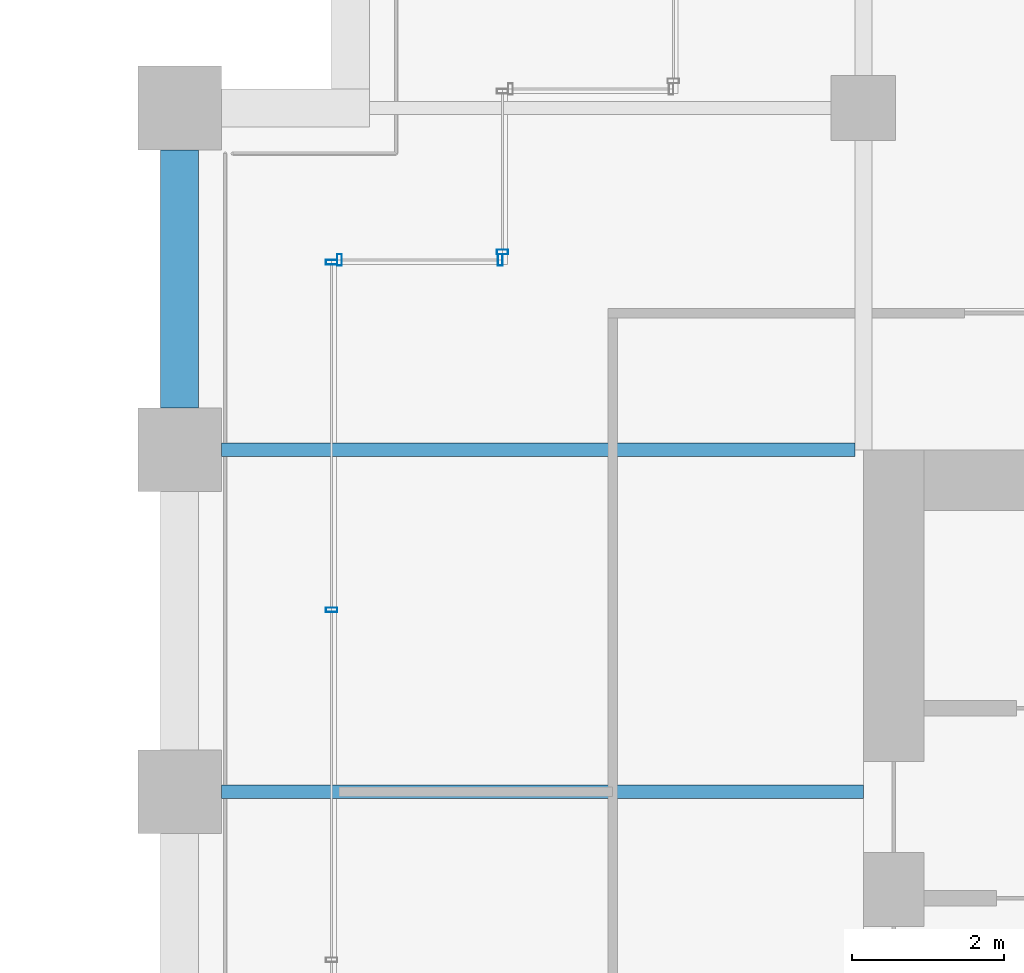
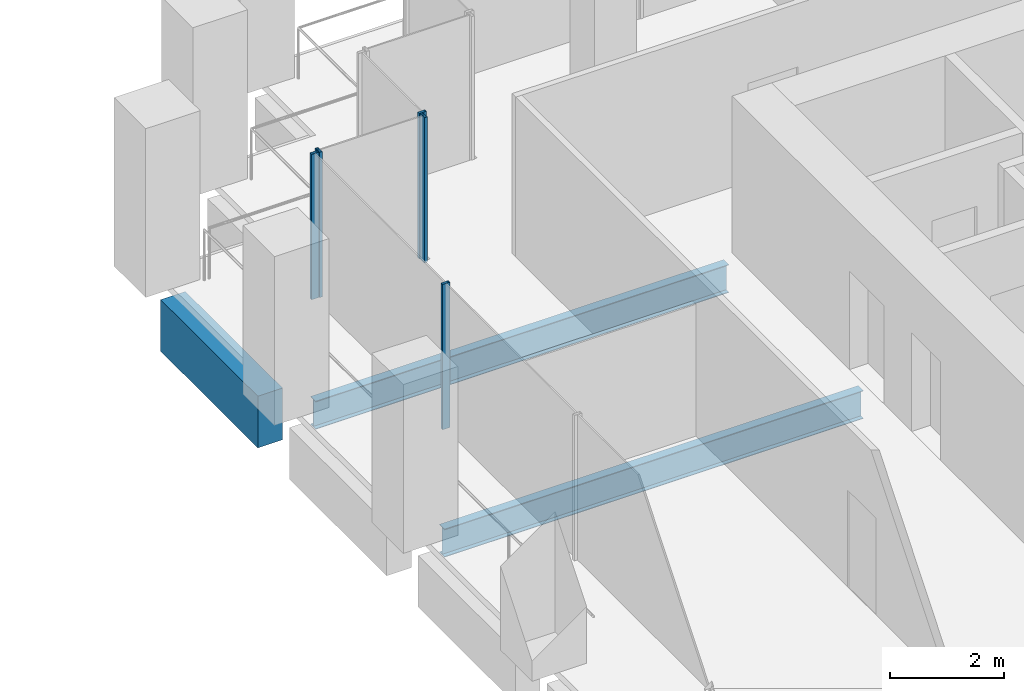
# One storey, part 40 of 54: 5 members, 3 beams, 3 elements without a shape of their own.
"""IFC4 building model written with IfcOpenShell, lengths in metres."""

from ifc_helpers import new_model, si_unit, direction, frame, origin, origin_2d, place, context, subcontext, project, spatial, rectangle, hollow_rectangle, i_section, extrude, material, material_profile, profile_set, type_object, element, aggregate, save


model = new_model("IFC4")

# Units and contexts
model_context = context("Model", 3, precision=1e-05, world=origin(), true_north=direction((0.0, 1.0)))
body_context = subcontext(model_context, "Body", "Model", "MODEL_VIEW")
ifc_project = project(units=[si_unit("LENGTHUNIT", "METRE"), si_unit("AREAUNIT", "SQUARE_METRE"), si_unit("VOLUMEUNIT", "CUBIC_METRE"), si_unit("PLANEANGLEUNIT", "RADIAN"), si_unit("MASSUNIT", "GRAM", prefix="KILO")], contexts=[model_context])

# Site, building, storey
site_placement = place(None, origin())
site = spatial("IfcSite", under=ifc_project, at=site_placement, CompositionType="ELEMENT")
building_placement = place(site_placement, origin())
building = spatial("IfcBuilding", under=site, at=building_placement, Name="Altepetl Exchange Towers", CompositionType="ELEMENT")
storey_placement = place(building_placement, frame((0.0, 0.0, 58.199951171875)))
storey = spatial("IfcBuildingStorey", under=building, at=storey_placement, Name="L13", CompositionType="ELEMENT", Elevation=58.199951171875)

# Beams
ifc_material_1 = material(Name="Steel S355", Category="steel")
ifc_material_profile_1 = material_profile(ifc_material_1, i_section(OverallWidth=0.177978515625, OverallDepth=0.59912109375, WebThickness=0.010009765625, FlangeThickness=0.0126953125, at=origin_2d()), Name="W24X55")
ifc_profile_set_1 = profile_set([ifc_material_profile_1], Name="Steel S355")
beam_type_1 = type_object("IfcBeamType", Name="Floor beam W24X55", PredefinedType="BEAM", material=ifc_profile_set_1)
beam_1_placement = place(storey_placement, frame((95.050048828125, 45.0, -0.449462890625), z_axis=(1.0, 0.0, 0.0), x_axis=(0.0, 1.0, 0.0)))
element("IfcBeam", 1, at=beam_1_placement, inside=storey, type_object=beam_type_1, Name="bm:B:L13:013", PredefinedType="BEAM", context=body_context, shape_type="SweptSolid", body=[
    extrude(i_section(OverallWidth=0.177978515625, OverallDepth=0.59912109375, WebThickness=0.010009765625, FlangeThickness=0.0126953125, at=origin_2d()), origin(), (0.0, 0.0, 1.0), 8.449951171875),
])
beam_2_placement = place(storey_placement, frame((95.050048828125, 49.5, -0.449462890625), z_axis=(1.0, 0.0, 0.0), x_axis=(0.0, 1.0, 0.0)))
element("IfcBeam", 2, at=beam_2_placement, inside=storey, type_object=beam_type_1, Name="bm:B:L13:014", PredefinedType="BEAM", context=body_context, shape_type="SweptSolid", body=[
    extrude(i_section(OverallWidth=0.177978515625, OverallDepth=0.59912109375, WebThickness=0.010009765625, FlangeThickness=0.0126953125, at=origin_2d()), origin(), (0.0, 0.0, 1.0), 8.3359375),
])

# Curtain wall, members
ifc_material_2 = material(Name="Aluminium 6063-T6 glazing", Category="aluminium")
curtain_wall_type = type_object("IfcCurtainWallType", Name="Loggia glazing system", PredefinedType="NOTDEFINED", material=ifc_material_2)
curtain_wall_1_placement = place(storey_placement, origin())
curtain_wall_1 = element("IfcCurtainWall", 3, at=curtain_wall_1_placement, inside=storey, type_object=curtain_wall_type, Name="CW1 run", PredefinedType="NOTDEFINED")
ifc_material_3 = material(Name="Aluminium 6063-T6", Category="aluminium")
ifc_material_profile_2 = material_profile(ifc_material_3, hollow_rectangle(XDim=0.06005859375, YDim=0.14990234375, WallThickness=0.0029296875, at=origin_2d()), Name="Mullion 60x150 aluminium")
ifc_profile_set_2 = profile_set([ifc_material_profile_2], Name="Aluminium 6063-T6")
member_type = type_object("IfcMemberType", Name="Mullion 60x150 aluminium", PredefinedType="MULLION", material=ifc_profile_set_2)
member_1_placement = place(storey_placement, frame((98.719970703125, 52.0, 0.0), z_axis=(0.0, 0.0, 1.0), x_axis=(-1.0, 0.0, 0.0)))
member_1 = element("IfcMember", 4, at=member_1_placement, type_object=member_type, Name="MU1 mullion", PredefinedType="MULLION", context=body_context, shape_type="SweptSolid", body=[
    extrude(hollow_rectangle(XDim=0.06005859375, YDim=0.14990234375, WallThickness=0.0029296875, at=origin_2d()), origin(), (0.0, 0.0, 1.0), 3.10009765625),
])
member_2_placement = place(storey_placement, frame((96.60498046875, 52.0, 0.0), z_axis=(0.0, 0.0, 1.0), x_axis=(-1.0, 0.0, 0.0)))
member_2 = element("IfcMember", 5, at=member_2_placement, type_object=member_type, Name="MU1 mullion", PredefinedType="MULLION", context=body_context, shape_type="SweptSolid", body=[
    extrude(hollow_rectangle(XDim=0.06005859375, YDim=0.14990234375, WallThickness=0.0029296875, at=origin_2d()), origin(), (0.0, 0.0, 1.0), 3.10009765625),
])
aggregate(curtain_wall_1, [member_1, member_2])

curtain_wall_2_placement = place(storey_placement, origin())
curtain_wall_2 = element("IfcCurtainWall", 6, at=curtain_wall_2_placement, inside=storey, type_object=curtain_wall_type, Name="CW1 run", PredefinedType="NOTDEFINED")
member_3_placement = place(storey_placement, frame((96.5, 51.969970703125, 0.0), z_axis=(0.0, 0.0, 1.0), x_axis=(0.0, -1.0, 0.0)))
member_3 = element("IfcMember", 7, at=member_3_placement, type_object=member_type, Name="MU1 mullion", PredefinedType="MULLION", context=body_context, shape_type="SweptSolid", body=[
    extrude(hollow_rectangle(XDim=0.06005859375, YDim=0.14990234375, WallThickness=0.0029296875, at=origin_2d()), origin(), (0.0, 0.0, 1.0), 3.10009765625),
])
member_4_placement = place(storey_placement, frame((96.5, 47.393798828125, 0.0), z_axis=(0.0, 0.0, 1.0), x_axis=(0.0, -1.0, 0.0)))
member_4 = element("IfcMember", 8, at=member_4_placement, type_object=member_type, Name="MU1 mullion", PredefinedType="MULLION", context=body_context, shape_type="SweptSolid", body=[
    extrude(hollow_rectangle(XDim=0.06005859375, YDim=0.14990234375, WallThickness=0.0029296875, at=origin_2d()), origin(), (0.0, 0.0, 1.0), 3.10009765625),
])
aggregate(curtain_wall_2, [member_3, member_4])

# Curtain wall, member
curtain_wall_3_placement = place(storey_placement, origin())
curtain_wall_3 = element("IfcCurtainWall", 9, at=curtain_wall_3_placement, inside=storey, type_object=curtain_wall_type, Name="CW1 run", PredefinedType="NOTDEFINED")
member_5_placement = place(storey_placement, frame((98.75, 52.10498046875, 0.0), z_axis=(0.0, 0.0, 1.0), x_axis=(0.0, -1.0, 0.0)))
member_5 = element("IfcMember", 10, at=member_5_placement, type_object=member_type, Name="MU1 mullion", PredefinedType="MULLION", context=body_context, shape_type="SweptSolid", body=[
    extrude(hollow_rectangle(XDim=0.06005859375, YDim=0.14990234375, WallThickness=0.0029296875, at=origin_2d()), origin(), (0.0, 0.0, 1.0), 3.10009765625),
])
aggregate(curtain_wall_3, [member_5])

# Beam
ifc_material_4 = material(Name="Concrete C50/60 precast with cantera rosa facing", Category="concrete")
ifc_material_profile_3 = material_profile(ifc_material_4, rectangle(XDim=0.5, YDim=1.10009765625, at=origin_2d()), Name="500 x 1100")
ifc_profile_set_3 = profile_set([ifc_material_profile_3], Name="Concrete C50/60 precast with cantera rosa facing")
beam_type_2 = type_object("IfcBeamType", Name="Spandrel beam 500x1100 cantera rosa", PredefinedType="SPANDREL", material=ifc_profile_set_3)
beam_3_placement = place(storey_placement, frame((94.5, 53.449951171875, -0.699951171875), z_axis=(0.0, -1.0, 0.0), x_axis=(1.0, 0.0, 0.0)))
element("IfcBeam", 11, at=beam_3_placement, inside=storey, type_object=beam_type_2, Name="sp:B:L13:027", PredefinedType="SPANDREL", context=body_context, shape_type="SweptSolid", body=[
    extrude(rectangle(XDim=0.5, YDim=1.10009765625, at=origin_2d()), origin(), (0.0, 0.0, 1.0), 3.39990234375),
])

save(model, "model.ifc")
